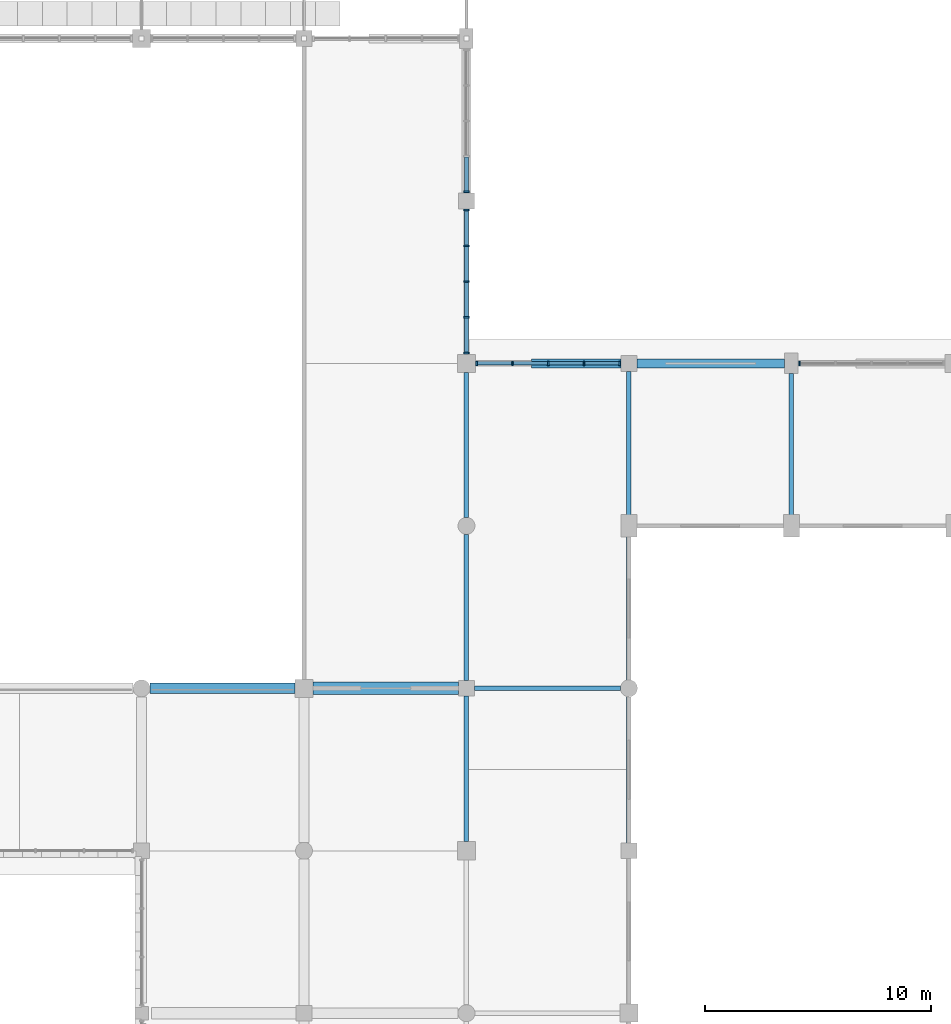
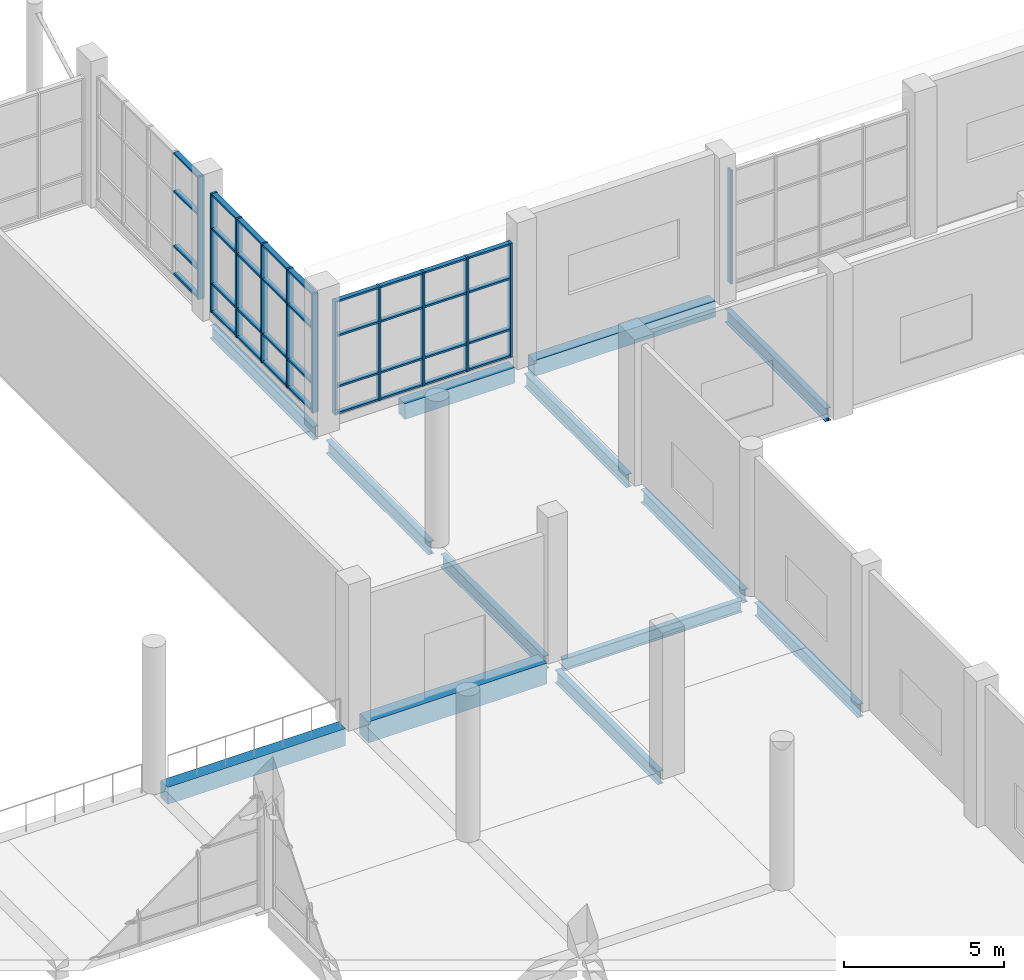
# One storey, part 25 of 80: 48 members, 13 beams, 4 elements without a shape of their own.
"""IFC4 building model written with IfcOpenShell, lengths in metres."""

from ifc_helpers import new_model, si_unit, direction, frame, origin, origin_2d, place, context, subcontext, project, spatial, rectangle, i_section, extrude, material, material_profile, profile_set, type_object, element, aggregate, save


model = new_model("IFC4")

# Units and contexts
model_context = context("Model", 3, precision=1e-05, world=origin(), true_north=direction((0.0, 1.0)))
body_context = subcontext(model_context, "Body", "Model", "MODEL_VIEW")
ifc_project = project(units=[si_unit("LENGTHUNIT", "METRE"), si_unit("AREAUNIT", "SQUARE_METRE"), si_unit("VOLUMEUNIT", "CUBIC_METRE"), si_unit("PLANEANGLEUNIT", "RADIAN"), si_unit("MASSUNIT", "GRAM", prefix="KILO")], contexts=[model_context])

# Site, building, storey
site_placement = place(None, origin())
site = spatial("IfcSite", under=ifc_project, at=site_placement, CompositionType="ELEMENT")
building_placement = place(site_placement, origin())
building = spatial("IfcBuilding", under=site, at=building_placement, Name="Sardonyx Promenade Sports Hall", CompositionType="ELEMENT")
storey_placement = place(building_placement, frame((0.0, 0.0, 5.60009765625)))
storey = spatial("IfcBuildingStorey", under=building, at=storey_placement, Name="L01", CompositionType="ELEMENT", Elevation=5.60009765625)

# Beams
ifc_material_1 = material(Name="Concrete C40/50", Category="concrete")
ifc_material_profile_1 = material_profile(ifc_material_1, rectangle(XDim=0.550048828125, YDim=0.800048828125, at=origin_2d()))
ifc_profile_set_1 = profile_set([ifc_material_profile_1], Name="Concrete C40/50")
beam_type_1 = type_object("IfcBeamType", Name="Bm_Girder_RC800", PredefinedType="BEAM", material=ifc_profile_set_1)
beam_1_placement = place(storey_placement, frame((101.199951171875, 72.0, -0.400146484375), z_axis=(1.0, 0.0, 0.0), x_axis=(0.0, 1.0, 0.0)))
element("IfcBeam", 1, at=beam_1_placement, inside=storey, type_object=beam_type_1, Name="Beam BG04 L01 #277", PredefinedType="BEAM", context=body_context, shape_type="SweptSolid", body=[
    extrude(rectangle(XDim=0.550048828125, YDim=0.800048828125, at=origin_2d()), origin(), (0.0, 0.0, 1.0), 6.449951171875),
])
ifc_material_2 = material(Name="Steel S355JR", Category="steel")
ifc_material_profile_2 = material_profile(ifc_material_2, i_section(OverallWidth=0.18994140625, OverallDepth=0.453369140625, WebThickness=0.008544921875, FlangeThickness=0.0126953125, at=origin_2d()))
ifc_profile_set_2 = profile_set([ifc_material_profile_2], Name="Steel S355JR")
beam_type_2 = type_object("IfcBeamType", Name="Bm_Girder_UB457", PredefinedType="BEAM", material=ifc_profile_set_2)
beam_2_placement = place(storey_placement, frame((108.35009765625, 72.0, -0.44677734375), z_axis=(1.0, 0.0, 0.0), x_axis=(0.0, 1.0, 0.0)))
element("IfcBeam", 2, at=beam_2_placement, inside=storey, type_object=beam_type_2, Name="Beam SB01 L01 #278", PredefinedType="BEAM", context=body_context, shape_type="SweptSolid", body=[
    extrude(i_section(OverallWidth=0.18994140625, OverallDepth=0.453369140625, WebThickness=0.008544921875, FlangeThickness=0.0126953125, at=origin_2d()), origin(), (0.0, 0.0, 1.0), 6.474853515625),
])
ifc_material_3 = material(Name="Steel S355JR", Category="steel")
ifc_material_profile_3 = material_profile(ifc_material_3, i_section(OverallWidth=0.199951171875, OverallDepth=0.5, WebThickness=0.01025390625, FlangeThickness=0.01611328125, at=origin_2d()))
ifc_profile_set_3 = profile_set([ifc_material_profile_3], Name="Steel S355JR")
beam_type_3 = type_object("IfcBeamType", Name="Bm_Primary_IPE500", PredefinedType="BEAM", material=ifc_profile_set_3)
beam_3_placement = place(storey_placement, frame((108.0, 65.199951171875, -0.5400390625), z_axis=(0.0, 1.0, 0.0), x_axis=(-1.0, 0.0, 0.0)))
element("IfcBeam", 3, at=beam_3_placement, inside=storey, type_object=beam_type_3, Name="Beam SB06 L01 #387", PredefinedType="BEAM", context=body_context, shape_type="SweptSolid", body=[
    extrude(i_section(OverallWidth=0.199951171875, OverallDepth=0.5, WebThickness=0.01025390625, FlangeThickness=0.01611328125, at=origin_2d()), origin(), (0.0, 0.0, 1.0), 6.449951171875),
])
beam_4_placement = place(storey_placement, frame((108.0, 72.35009765625, -0.47021484375), z_axis=(0.0, 1.0, 0.0), x_axis=(-1.0, 0.0, 0.0)))
element("IfcBeam", 4, at=beam_4_placement, inside=storey, type_object=beam_type_3, Name="Beam SB06 L01 #388", PredefinedType="BEAM", context=body_context, shape_type="SweptSolid", body=[
    extrude(i_section(OverallWidth=0.199951171875, OverallDepth=0.5, WebThickness=0.01025390625, FlangeThickness=0.01611328125, at=origin_2d()), origin(), (0.0, 0.0, 1.0), 6.474853515625),
])
beam_5_placement = place(storey_placement, frame((108.0, 79.574951171875, -0.47021484375), z_axis=(0.0, 1.0, 0.0), x_axis=(-1.0, 0.0, 0.0)))
element("IfcBeam", 5, at=beam_5_placement, inside=storey, type_object=beam_type_3, Name="Beam SB06 L01 #389", PredefinedType="BEAM", context=body_context, shape_type="SweptSolid", body=[
    extrude(i_section(OverallWidth=0.199951171875, OverallDepth=0.5, WebThickness=0.01025390625, FlangeThickness=0.01611328125, at=origin_2d()), origin(), (0.0, 0.0, 1.0), 6.425048828125),
])
beam_6_placement = place(storey_placement, frame((108.0, 86.800048828125, -0.47021484375), z_axis=(0.0, 1.0, 0.0), x_axis=(-1.0, 0.0, 0.0)))
element("IfcBeam", 6, at=beam_6_placement, inside=storey, type_object=beam_type_3, Name="Beam SB06 L01 #390", PredefinedType="BEAM", context=body_context, shape_type="SweptSolid", body=[
    extrude(i_section(OverallWidth=0.199951171875, OverallDepth=0.5, WebThickness=0.01025390625, FlangeThickness=0.01611328125, at=origin_2d()), origin(), (0.0, 0.0, 1.0), 6.449951171875),
])
beam_7_placement = place(storey_placement, frame((115.199951171875, 65.14990234375, -0.47021484375), z_axis=(0.0, 1.0, 0.0), x_axis=(-1.0, 0.0, 0.0)))
element("IfcBeam", 7, at=beam_7_placement, inside=storey, type_object=beam_type_3, Name="Beam SB06 L01 #401", PredefinedType="BEAM", context=body_context, shape_type="SweptSolid", body=[
    extrude(i_section(OverallWidth=0.199951171875, OverallDepth=0.5, WebThickness=0.01025390625, FlangeThickness=0.01611328125, at=origin_2d()), origin(), (0.0, 0.0, 1.0), 6.47509765625),
])
beam_8_placement = place(storey_placement, frame((115.199951171875, 72.375, -0.47021484375), z_axis=(0.0, 1.0, 0.0), x_axis=(-1.0, 0.0, 0.0)))
element("IfcBeam", 8, at=beam_8_placement, inside=storey, type_object=beam_type_3, Name="Beam SB06 L01 #402", PredefinedType="BEAM", context=body_context, shape_type="SweptSolid", body=[
    extrude(i_section(OverallWidth=0.199951171875, OverallDepth=0.5, WebThickness=0.01025390625, FlangeThickness=0.01611328125, at=origin_2d()), origin(), (0.0, 0.0, 1.0), 6.375),
])
beam_9_placement = place(storey_placement, frame((115.199951171875, 79.64990234375, -0.47021484375), z_axis=(0.0, 1.0, 0.0), x_axis=(-1.0, 0.0, 0.0)))
element("IfcBeam", 9, at=beam_9_placement, inside=storey, type_object=beam_type_3, Name="Beam SB06 L01 #403", PredefinedType="BEAM", context=body_context, shape_type="SweptSolid", body=[
    extrude(i_section(OverallWidth=0.199951171875, OverallDepth=0.5, WebThickness=0.01025390625, FlangeThickness=0.01611328125, at=origin_2d()), origin(), (0.0, 0.0, 1.0), 6.400146484375),
])
beam_10_placement = place(storey_placement, frame((122.39990234375, 79.64990234375, -0.47021484375), z_axis=(0.0, 1.0, 0.0), x_axis=(-1.0, 0.0, 0.0)))
element("IfcBeam", 10, at=beam_10_placement, inside=storey, type_object=beam_type_3, Name="Beam SB06 L01 #404", PredefinedType="BEAM", context=body_context, shape_type="SweptSolid", body=[
    extrude(i_section(OverallWidth=0.199951171875, OverallDepth=0.5, WebThickness=0.01025390625, FlangeThickness=0.01611328125, at=origin_2d()), origin(), (0.0, 0.0, 1.0), 6.300048828125),
])
ifc_material_4 = material(Name="Concrete C40/50", Category="concrete")
ifc_material_profile_4 = material_profile(ifc_material_4, rectangle(XDim=0.449951171875, YDim=0.64990234375, at=origin_2d()))
ifc_profile_set_4 = profile_set([ifc_material_profile_4], Name="Concrete C40/50")
beam_type_4 = type_object("IfcBeamType", Name="Bm_Primary_RC650", PredefinedType="BEAM", material=ifc_profile_set_4)
beam_11_placement = place(storey_placement, frame((93.97509765625, 72.0, -0.3251953125), z_axis=(1.0, 0.0, 0.0), x_axis=(0.0, 1.0, 0.0)))
element("IfcBeam", 11, at=beam_11_placement, inside=storey, type_object=beam_type_4, Name="Beam BG05 L01 #276", PredefinedType="BEAM", context=body_context, shape_type="SweptSolid", body=[
    extrude(rectangle(XDim=0.449951171875, YDim=0.64990234375, at=origin_2d()), origin(), (0.0, 0.0, 1.0), 6.4248046875),
])
ifc_material_5 = material(Name="Concrete C40/50", Category="concrete")
ifc_material_profile_5 = material_profile(ifc_material_5, rectangle(XDim=0.39990234375, YDim=0.60009765625, at=origin_2d()))
ifc_profile_set_5 = profile_set([ifc_material_profile_5], Name="Concrete C40/50")
beam_type_5 = type_object("IfcBeamType", Name="Bm_Spandrel_RC600", PredefinedType="SPANDREL", material=ifc_profile_set_5)
beam_12_placement = place(storey_placement, frame((110.875, 86.39990234375, -0.300048828125), z_axis=(1.0, 0.0, 0.0), x_axis=(0.0, 1.0, 0.0)))
element("IfcBeam", 12, at=beam_12_placement, inside=storey, type_object=beam_type_5, Name="Beam SPB1 L01 #280", PredefinedType="SPANDREL", context=body_context, shape_type="SweptSolid", body=[
    extrude(rectangle(XDim=0.39990234375, YDim=0.60009765625, at=origin_2d()), origin(), (0.0, 0.0, 1.0), 3.97509765625),
])
beam_13_placement = place(storey_placement, frame((115.550048828125, 86.39990234375, -0.300048828125), z_axis=(1.0, 0.0, 0.0), x_axis=(0.0, 1.0, 0.0)))
element("IfcBeam", 13, at=beam_13_placement, inside=storey, type_object=beam_type_5, Name="Beam SPB1 L01 #281", PredefinedType="SPANDREL", context=body_context, shape_type="SweptSolid", body=[
    extrude(rectangle(XDim=0.39990234375, YDim=0.60009765625, at=origin_2d()), origin(), (0.0, 0.0, 1.0), 6.550048828125),
])

# Curtain wall, members
ifc_material_6 = material(Name="Aluminium 6063-T6", Category="aluminium")
curtain_wall_type_1 = type_object("IfcCurtainWallType", Name="CW_Prac_North_L01", PredefinedType="USERDEFINED", material=ifc_material_6)
curtain_wall_1_placement = place(storey_placement, origin())
curtain_wall_1 = element("IfcCurtainWall", 14, at=curtain_wall_1_placement, inside=storey, type_object=curtain_wall_type_1, Name="Curtain wall CW04 cw:L01:103", ObjectType="CURTAIN WALL", PredefinedType="USERDEFINED")
ifc_material_7 = material(Name="Aluminium 6063-T6", Category="aluminium")
ifc_material_profile_6 = material_profile(ifc_material_7, rectangle(XDim=0.070068359375, YDim=0.199951171875, at=origin_2d()))
ifc_profile_set_6 = profile_set([ifc_material_profile_6], Name="Aluminium 6063-T6")
member_type_1 = type_object("IfcMemberType", Name="CW_Mull_200", PredefinedType="MULLION", material=ifc_profile_set_6)
member_1_placement = place(storey_placement, frame((108.455078125, 86.39990234375, 0.349853515625), z_axis=(0.0, 0.0, 1.0), x_axis=(1.0, 0.0, 0.0)))
member_1 = element("IfcMember", 15, at=member_1_placement, type_object=member_type_1, Name="Mullion CM03 cw:L01:103 #1", PredefinedType="MULLION", context=body_context, shape_type="SweptSolid", body=[
    extrude(rectangle(XDim=0.070068359375, YDim=0.199951171875, at=origin_2d()), origin(), (0.0, 0.0, 1.0), 4.35009765625),
])
member_2_placement = place(storey_placement, frame((110.0400390625, 86.39990234375, 0.349853515625), z_axis=(0.0, 0.0, 1.0), x_axis=(1.0, 0.0, 0.0)))
member_2 = element("IfcMember", 16, at=member_2_placement, type_object=member_type_1, Name="Mullion CM03 cw:L01:103 #2", PredefinedType="MULLION", context=body_context, shape_type="SweptSolid", body=[
    extrude(rectangle(XDim=0.070068359375, YDim=0.199951171875, at=origin_2d()), origin(), (0.0, 0.0, 1.0), 4.35009765625),
])
member_3_placement = place(storey_placement, frame((111.625, 86.39990234375, 0.349853515625), z_axis=(0.0, 0.0, 1.0), x_axis=(1.0, 0.0, 0.0)))
member_3 = element("IfcMember", 17, at=member_3_placement, type_object=member_type_1, Name="Mullion CM03 cw:L01:103 #3", PredefinedType="MULLION", context=body_context, shape_type="SweptSolid", body=[
    extrude(rectangle(XDim=0.070068359375, YDim=0.199951171875, at=origin_2d()), origin(), (0.0, 0.0, 1.0), 4.35009765625),
])
member_4_placement = place(storey_placement, frame((113.2099609375, 86.39990234375, 0.349853515625), z_axis=(0.0, 0.0, 1.0), x_axis=(1.0, 0.0, 0.0)))
member_4 = element("IfcMember", 18, at=member_4_placement, type_object=member_type_1, Name="Mullion CM03 cw:L01:103 #4", PredefinedType="MULLION", context=body_context, shape_type="SweptSolid", body=[
    extrude(rectangle(XDim=0.070068359375, YDim=0.199951171875, at=origin_2d()), origin(), (0.0, 0.0, 1.0), 4.35009765625),
])
member_5_placement = place(storey_placement, frame((114.794921875, 86.39990234375, 0.349853515625), z_axis=(0.0, 0.0, 1.0), x_axis=(1.0, 0.0, 0.0)))
member_5 = element("IfcMember", 19, at=member_5_placement, type_object=member_type_1, Name="Mullion CM03 cw:L01:103 #5", PredefinedType="MULLION", context=body_context, shape_type="SweptSolid", body=[
    extrude(rectangle(XDim=0.070068359375, YDim=0.199951171875, at=origin_2d()), origin(), (0.0, 0.0, 1.0), 4.35009765625),
])

# Curtain wall, member
curtain_wall_2_placement = place(storey_placement, origin())
curtain_wall_2 = element("IfcCurtainWall", 20, at=curtain_wall_2_placement, inside=storey, type_object=curtain_wall_type_1, Name="Curtain wall CW04 cw:L01:104", ObjectType="CURTAIN WALL", PredefinedType="USERDEFINED")
member_6_placement = place(storey_placement, frame((122.7548828125, 86.39990234375, 0.349853515625), z_axis=(0.0, 0.0, 1.0), x_axis=(1.0, 0.0, 0.0)))
member_6 = element("IfcMember", 21, at=member_6_placement, type_object=member_type_1, Name="Mullion CM03 cw:L01:104 #1", PredefinedType="MULLION", context=body_context, shape_type="SweptSolid", body=[
    extrude(rectangle(XDim=0.070068359375, YDim=0.199951171875, at=origin_2d()), origin(), (0.0, 0.0, 1.0), 4.35009765625),
])
aggregate(curtain_wall_2, [member_6])

ifc_material_8 = material(Name="Aluminium 6063-T6", Category="aluminium")
curtain_wall_type_2 = type_object("IfcCurtainWallType", Name="CW_Foyer_L01_Tall", PredefinedType="USERDEFINED", material=ifc_material_8)
curtain_wall_3_placement = place(storey_placement, origin())
curtain_wall_3 = element("IfcCurtainWall", 22, at=curtain_wall_3_placement, inside=storey, type_object=curtain_wall_type_2, Name="Curtain wall CW02 cw:L01:095", ObjectType="CURTAIN WALL", PredefinedType="USERDEFINED")
ifc_material_9 = material(Name="Aluminium 6063-T6", Category="aluminium")
ifc_material_profile_7 = material_profile(ifc_material_9, rectangle(XDim=0.074951171875, YDim=0.22509765625, at=origin_2d()))
ifc_profile_set_7 = profile_set([ifc_material_profile_7], Name="Aluminium 6063-T6")
member_type_2 = type_object("IfcMemberType", Name="CW_Mull_225", PredefinedType="MULLION", material=ifc_profile_set_7)
member_7_placement = place(storey_placement, frame((108.0, 94.007568359375, 0.2998046875), z_axis=(0.0, 0.0, 1.0), x_axis=(0.0, -1.0, 0.0)))
member_7 = element("IfcMember", 23, at=member_7_placement, type_object=member_type_2, Name="Mullion CM04 cw:L01:095 #5", PredefinedType="MULLION", context=body_context, shape_type="SweptSolid", body=[
    extrude(rectangle(XDim=0.074951171875, YDim=0.22509765625, at=origin_2d()), origin(), (0.0, 0.0, 1.0), 4.68505859375),
])

# Curtain wall, members
curtain_wall_4_placement = place(storey_placement, origin())
curtain_wall_4 = element("IfcCurtainWall", 24, at=curtain_wall_4_placement, inside=storey, type_object=curtain_wall_type_2, Name="Curtain wall CW02 cw:L01:096", ObjectType="CURTAIN WALL", PredefinedType="USERDEFINED")
member_8_placement = place(storey_placement, frame((108.0, 93.1923828125, 0.2998046875), z_axis=(0.0, 0.0, 1.0), x_axis=(0.0, -1.0, 0.0)))
member_8 = element("IfcMember", 25, at=member_8_placement, type_object=member_type_2, Name="Mullion CM04 cw:L01:096 #1", PredefinedType="MULLION", context=body_context, shape_type="SweptSolid", body=[
    extrude(rectangle(XDim=0.074951171875, YDim=0.22509765625, at=origin_2d()), origin(), (0.0, 0.0, 1.0), 4.545166015625),
])
member_9_placement = place(storey_placement, frame((108.0, 91.608642578125, 0.2998046875), z_axis=(0.0, 0.0, 1.0), x_axis=(0.0, -1.0, 0.0)))
member_9 = element("IfcMember", 26, at=member_9_placement, type_object=member_type_2, Name="Mullion CM04 cw:L01:096 #2", PredefinedType="MULLION", context=body_context, shape_type="SweptSolid", body=[
    extrude(rectangle(XDim=0.074951171875, YDim=0.22509765625, at=origin_2d()), origin(), (0.0, 0.0, 1.0), 4.545166015625),
])
member_10_placement = place(storey_placement, frame((108.0, 90.02490234375, 0.2998046875), z_axis=(0.0, 0.0, 1.0), x_axis=(0.0, -1.0, 0.0)))
member_10 = element("IfcMember", 27, at=member_10_placement, type_object=member_type_2, Name="Mullion CM04 cw:L01:096 #3", PredefinedType="MULLION", context=body_context, shape_type="SweptSolid", body=[
    extrude(rectangle(XDim=0.074951171875, YDim=0.22509765625, at=origin_2d()), origin(), (0.0, 0.0, 1.0), 4.545166015625),
])
member_11_placement = place(storey_placement, frame((108.0, 88.441162109375, 0.2998046875), z_axis=(0.0, 0.0, 1.0), x_axis=(0.0, -1.0, 0.0)))
member_11 = element("IfcMember", 28, at=member_11_placement, type_object=member_type_2, Name="Mullion CM04 cw:L01:096 #4", PredefinedType="MULLION", context=body_context, shape_type="SweptSolid", body=[
    extrude(rectangle(XDim=0.074951171875, YDim=0.22509765625, at=origin_2d()), origin(), (0.0, 0.0, 1.0), 4.545166015625),
])
member_12_placement = place(storey_placement, frame((108.0, 86.857421875, 0.2998046875), z_axis=(0.0, 0.0, 1.0), x_axis=(0.0, -1.0, 0.0)))
member_12 = element("IfcMember", 29, at=member_12_placement, type_object=member_type_2, Name="Mullion CM04 cw:L01:096 #5", PredefinedType="MULLION", context=body_context, shape_type="SweptSolid", body=[
    extrude(rectangle(XDim=0.074951171875, YDim=0.22509765625, at=origin_2d()), origin(), (0.0, 0.0, 1.0), 4.545166015625),
])

# Member
ifc_material_10 = material(Name="Aluminium 6063-T6", Category="aluminium")
ifc_material_profile_8 = material_profile(ifc_material_10, rectangle(XDim=0.070068359375, YDim=0.159912109375, at=origin_2d()))
ifc_profile_set_8 = profile_set([ifc_material_profile_8], Name="Aluminium 6063-T6")
member_type_3 = type_object("IfcMemberType", Name="CW_Tran_160", PredefinedType="USERDEFINED", material=ifc_profile_set_8)
member_13_placement = place(storey_placement, frame((108.489990234375, 86.39990234375, 0.385009765625), z_axis=(1.0, 0.0, 0.0), x_axis=(0.0, 0.0, 1.0)))
member_13 = element("IfcMember", 30, at=member_13_placement, type_object=member_type_3, Name="Transom CT03 cw:L01:103 #1", ObjectType="TRANSOM", PredefinedType="USERDEFINED", context=body_context, shape_type="SweptSolid", body=[
    extrude(rectangle(XDim=0.070068359375, YDim=0.159912109375, at=origin_2d()), origin(), (0.0, 0.0, 1.0), 1.514892578125),
])

member_14_placement = place(storey_placement, frame((108.489990234375, 86.39990234375, 1.39990234375), z_axis=(1.0, 0.0, 0.0), x_axis=(0.0, 0.0, 1.0)))
member_14 = element("IfcMember", 31, at=member_14_placement, type_object=member_type_3, Name="Transom CT03 cw:L01:103 #2", ObjectType="TRANSOM", PredefinedType="USERDEFINED", context=body_context, shape_type="SweptSolid", body=[
    extrude(rectangle(XDim=0.070068359375, YDim=0.159912109375, at=origin_2d()), origin(), (0.0, 0.0, 1.0), 1.514892578125),
])

member_15_placement = place(storey_placement, frame((108.489990234375, 86.39990234375, 3.349853515625), z_axis=(1.0, 0.0, 0.0), x_axis=(0.0, 0.0, 1.0)))
member_15 = element("IfcMember", 32, at=member_15_placement, type_object=member_type_3, Name="Transom CT03 cw:L01:103 #3", ObjectType="TRANSOM", PredefinedType="USERDEFINED", context=body_context, shape_type="SweptSolid", body=[
    extrude(rectangle(XDim=0.070068359375, YDim=0.159912109375, at=origin_2d()), origin(), (0.0, 0.0, 1.0), 1.514892578125),
])

member_16_placement = place(storey_placement, frame((108.489990234375, 86.39990234375, 4.664794921875), z_axis=(1.0, 0.0, 0.0), x_axis=(0.0, 0.0, 1.0)))
member_16 = element("IfcMember", 33, at=member_16_placement, type_object=member_type_3, Name="Transom CT03 cw:L01:103 #4", ObjectType="TRANSOM", PredefinedType="USERDEFINED", context=body_context, shape_type="SweptSolid", body=[
    extrude(rectangle(XDim=0.070068359375, YDim=0.159912109375, at=origin_2d()), origin(), (0.0, 0.0, 1.0), 1.514892578125),
])

member_17_placement = place(storey_placement, frame((110.074951171875, 86.39990234375, 0.385009765625), z_axis=(1.0, 0.0, 0.0), x_axis=(0.0, 0.0, 1.0)))
member_17 = element("IfcMember", 34, at=member_17_placement, type_object=member_type_3, Name="Transom CT03 cw:L01:103 #5", ObjectType="TRANSOM", PredefinedType="USERDEFINED", context=body_context, shape_type="SweptSolid", body=[
    extrude(rectangle(XDim=0.070068359375, YDim=0.159912109375, at=origin_2d()), origin(), (0.0, 0.0, 1.0), 1.51513671875),
])

member_18_placement = place(storey_placement, frame((110.074951171875, 86.39990234375, 1.39990234375), z_axis=(1.0, 0.0, 0.0), x_axis=(0.0, 0.0, 1.0)))
member_18 = element("IfcMember", 35, at=member_18_placement, type_object=member_type_3, Name="Transom CT03 cw:L01:103 #6", ObjectType="TRANSOM", PredefinedType="USERDEFINED", context=body_context, shape_type="SweptSolid", body=[
    extrude(rectangle(XDim=0.070068359375, YDim=0.159912109375, at=origin_2d()), origin(), (0.0, 0.0, 1.0), 1.51513671875),
])

member_19_placement = place(storey_placement, frame((110.074951171875, 86.39990234375, 3.349853515625), z_axis=(1.0, 0.0, 0.0), x_axis=(0.0, 0.0, 1.0)))
member_19 = element("IfcMember", 36, at=member_19_placement, type_object=member_type_3, Name="Transom CT03 cw:L01:103 #7", ObjectType="TRANSOM", PredefinedType="USERDEFINED", context=body_context, shape_type="SweptSolid", body=[
    extrude(rectangle(XDim=0.070068359375, YDim=0.159912109375, at=origin_2d()), origin(), (0.0, 0.0, 1.0), 1.51513671875),
])

member_20_placement = place(storey_placement, frame((110.074951171875, 86.39990234375, 4.664794921875), z_axis=(1.0, 0.0, 0.0), x_axis=(0.0, 0.0, 1.0)))
member_20 = element("IfcMember", 37, at=member_20_placement, type_object=member_type_3, Name="Transom CT03 cw:L01:103 #8", ObjectType="TRANSOM", PredefinedType="USERDEFINED", context=body_context, shape_type="SweptSolid", body=[
    extrude(rectangle(XDim=0.070068359375, YDim=0.159912109375, at=origin_2d()), origin(), (0.0, 0.0, 1.0), 1.51513671875),
])

member_21_placement = place(storey_placement, frame((111.659912109375, 86.39990234375, 0.385009765625), z_axis=(1.0, 0.0, 0.0), x_axis=(0.0, 0.0, 1.0)))
member_21 = element("IfcMember", 38, at=member_21_placement, type_object=member_type_3, Name="Transom CT03 cw:L01:103 #9", ObjectType="TRANSOM", PredefinedType="USERDEFINED", context=body_context, shape_type="SweptSolid", body=[
    extrude(rectangle(XDim=0.070068359375, YDim=0.159912109375, at=origin_2d()), origin(), (0.0, 0.0, 1.0), 1.51513671875),
])

member_22_placement = place(storey_placement, frame((111.659912109375, 86.39990234375, 1.39990234375), z_axis=(1.0, 0.0, 0.0), x_axis=(0.0, 0.0, 1.0)))
member_22 = element("IfcMember", 39, at=member_22_placement, type_object=member_type_3, Name="Transom CT03 cw:L01:103 #10", ObjectType="TRANSOM", PredefinedType="USERDEFINED", context=body_context, shape_type="SweptSolid", body=[
    extrude(rectangle(XDim=0.070068359375, YDim=0.159912109375, at=origin_2d()), origin(), (0.0, 0.0, 1.0), 1.51513671875),
])

member_23_placement = place(storey_placement, frame((111.659912109375, 86.39990234375, 3.349853515625), z_axis=(1.0, 0.0, 0.0), x_axis=(0.0, 0.0, 1.0)))
member_23 = element("IfcMember", 40, at=member_23_placement, type_object=member_type_3, Name="Transom CT03 cw:L01:103 #11", ObjectType="TRANSOM", PredefinedType="USERDEFINED", context=body_context, shape_type="SweptSolid", body=[
    extrude(rectangle(XDim=0.070068359375, YDim=0.159912109375, at=origin_2d()), origin(), (0.0, 0.0, 1.0), 1.51513671875),
])

member_24_placement = place(storey_placement, frame((111.659912109375, 86.39990234375, 4.664794921875), z_axis=(1.0, 0.0, 0.0), x_axis=(0.0, 0.0, 1.0)))
member_24 = element("IfcMember", 41, at=member_24_placement, type_object=member_type_3, Name="Transom CT03 cw:L01:103 #12", ObjectType="TRANSOM", PredefinedType="USERDEFINED", context=body_context, shape_type="SweptSolid", body=[
    extrude(rectangle(XDim=0.070068359375, YDim=0.159912109375, at=origin_2d()), origin(), (0.0, 0.0, 1.0), 1.51513671875),
])

member_25_placement = place(storey_placement, frame((113.2451171875, 86.39990234375, 0.385009765625), z_axis=(1.0, 0.0, 0.0), x_axis=(0.0, 0.0, 1.0)))
member_25 = element("IfcMember", 42, at=member_25_placement, type_object=member_type_3, Name="Transom CT03 cw:L01:103 #13", ObjectType="TRANSOM", PredefinedType="USERDEFINED", context=body_context, shape_type="SweptSolid", body=[
    extrude(rectangle(XDim=0.070068359375, YDim=0.159912109375, at=origin_2d()), origin(), (0.0, 0.0, 1.0), 1.514892578125),
])

member_26_placement = place(storey_placement, frame((113.2451171875, 86.39990234375, 1.39990234375), z_axis=(1.0, 0.0, 0.0), x_axis=(0.0, 0.0, 1.0)))
member_26 = element("IfcMember", 43, at=member_26_placement, type_object=member_type_3, Name="Transom CT03 cw:L01:103 #14", ObjectType="TRANSOM", PredefinedType="USERDEFINED", context=body_context, shape_type="SweptSolid", body=[
    extrude(rectangle(XDim=0.070068359375, YDim=0.159912109375, at=origin_2d()), origin(), (0.0, 0.0, 1.0), 1.514892578125),
])

member_27_placement = place(storey_placement, frame((113.2451171875, 86.39990234375, 3.349853515625), z_axis=(1.0, 0.0, 0.0), x_axis=(0.0, 0.0, 1.0)))
member_27 = element("IfcMember", 44, at=member_27_placement, type_object=member_type_3, Name="Transom CT03 cw:L01:103 #15", ObjectType="TRANSOM", PredefinedType="USERDEFINED", context=body_context, shape_type="SweptSolid", body=[
    extrude(rectangle(XDim=0.070068359375, YDim=0.159912109375, at=origin_2d()), origin(), (0.0, 0.0, 1.0), 1.514892578125),
])

member_28_placement = place(storey_placement, frame((113.2451171875, 86.39990234375, 4.664794921875), z_axis=(1.0, 0.0, 0.0), x_axis=(0.0, 0.0, 1.0)))
member_28 = element("IfcMember", 45, at=member_28_placement, type_object=member_type_3, Name="Transom CT03 cw:L01:103 #16", ObjectType="TRANSOM", PredefinedType="USERDEFINED", context=body_context, shape_type="SweptSolid", body=[
    extrude(rectangle(XDim=0.070068359375, YDim=0.159912109375, at=origin_2d()), origin(), (0.0, 0.0, 1.0), 1.514892578125),
])

aggregate(curtain_wall_1, [member_1, member_2, member_3, member_4, member_5, member_13, member_14, member_15, member_16, member_17, member_18, member_19, member_20, member_21, member_22, member_23, member_24, member_25, member_26, member_27, member_28])

ifc_material_11 = material(Name="Aluminium 6063-T6", Category="aluminium")
ifc_material_profile_9 = material_profile(ifc_material_11, rectangle(XDim=0.074951171875, YDim=0.179931640625, at=origin_2d()))
ifc_profile_set_9 = profile_set([ifc_material_profile_9], Name="Aluminium 6063-T6")
member_type_4 = type_object("IfcMemberType", Name="CW_Tran_180", PredefinedType="USERDEFINED", material=ifc_profile_set_9)
member_29_placement = place(storey_placement, frame((108.0, 95.541259765625, 0.33740234375), z_axis=(0.0, -1.0, 0.0), x_axis=(0.0, 0.0, 1.0)))
member_29 = element("IfcMember", 46, at=member_29_placement, type_object=member_type_4, Name="Transom CT04 cw:L01:095 #13", ObjectType="TRANSOM", PredefinedType="USERDEFINED", context=body_context, shape_type="SweptSolid", body=[
    extrude(rectangle(XDim=0.074951171875, YDim=0.179931640625, at=origin_2d()), origin(), (0.0, 0.0, 1.0), 1.496337890625),
])

member_30_placement = place(storey_placement, frame((108.0, 95.541259765625, 1.39990234375), z_axis=(0.0, -1.0, 0.0), x_axis=(0.0, 0.0, 1.0)))
member_30 = element("IfcMember", 47, at=member_30_placement, type_object=member_type_4, Name="Transom CT04 cw:L01:095 #14", ObjectType="TRANSOM", PredefinedType="USERDEFINED", context=body_context, shape_type="SweptSolid", body=[
    extrude(rectangle(XDim=0.074951171875, YDim=0.179931640625, at=origin_2d()), origin(), (0.0, 0.0, 1.0), 1.496337890625),
])

member_31_placement = place(storey_placement, frame((108.0, 95.541259765625, 3.5), z_axis=(0.0, -1.0, 0.0), x_axis=(0.0, 0.0, 1.0)))
member_31 = element("IfcMember", 48, at=member_31_placement, type_object=member_type_4, Name="Transom CT04 cw:L01:095 #15", ObjectType="TRANSOM", PredefinedType="USERDEFINED", context=body_context, shape_type="SweptSolid", body=[
    extrude(rectangle(XDim=0.074951171875, YDim=0.179931640625, at=origin_2d()), origin(), (0.0, 0.0, 1.0), 1.496337890625),
])

member_32_placement = place(storey_placement, frame((108.0, 95.541259765625, 4.947509765625), z_axis=(0.0, -1.0, 0.0), x_axis=(0.0, 0.0, 1.0)))
member_32 = element("IfcMember", 49, at=member_32_placement, type_object=member_type_4, Name="Transom CT04 cw:L01:095 #16", ObjectType="TRANSOM", PredefinedType="USERDEFINED", context=body_context, shape_type="SweptSolid", body=[
    extrude(rectangle(XDim=0.074951171875, YDim=0.179931640625, at=origin_2d()), origin(), (0.0, 0.0, 1.0), 1.496337890625),
])

aggregate(curtain_wall_3, [member_7, member_29, member_30, member_31, member_32])

member_33_placement = place(storey_placement, frame((108.0, 93.155029296875, 0.33740234375), z_axis=(0.0, -1.0, 0.0), x_axis=(0.0, 0.0, 1.0)))
member_33 = element("IfcMember", 50, at=member_33_placement, type_object=member_type_4, Name="Transom CT04 cw:L01:096 #1", ObjectType="TRANSOM", PredefinedType="USERDEFINED", context=body_context, shape_type="SweptSolid", body=[
    extrude(rectangle(XDim=0.074951171875, YDim=0.179931640625, at=origin_2d()), origin(), (0.0, 0.0, 1.0), 1.5087890625),
])

member_34_placement = place(storey_placement, frame((108.0, 93.155029296875, 1.39990234375), z_axis=(0.0, -1.0, 0.0), x_axis=(0.0, 0.0, 1.0)))
member_34 = element("IfcMember", 51, at=member_34_placement, type_object=member_type_4, Name="Transom CT04 cw:L01:096 #2", ObjectType="TRANSOM", PredefinedType="USERDEFINED", context=body_context, shape_type="SweptSolid", body=[
    extrude(rectangle(XDim=0.074951171875, YDim=0.179931640625, at=origin_2d()), origin(), (0.0, 0.0, 1.0), 1.5087890625),
])

member_35_placement = place(storey_placement, frame((108.0, 93.155029296875, 3.5), z_axis=(0.0, -1.0, 0.0), x_axis=(0.0, 0.0, 1.0)))
member_35 = element("IfcMember", 52, at=member_35_placement, type_object=member_type_4, Name="Transom CT04 cw:L01:096 #3", ObjectType="TRANSOM", PredefinedType="USERDEFINED", context=body_context, shape_type="SweptSolid", body=[
    extrude(rectangle(XDim=0.074951171875, YDim=0.179931640625, at=origin_2d()), origin(), (0.0, 0.0, 1.0), 1.5087890625),
])

member_36_placement = place(storey_placement, frame((108.0, 93.155029296875, 4.807373046875), z_axis=(0.0, -1.0, 0.0), x_axis=(0.0, 0.0, 1.0)))
member_36 = element("IfcMember", 53, at=member_36_placement, type_object=member_type_4, Name="Transom CT04 cw:L01:096 #4", ObjectType="TRANSOM", PredefinedType="USERDEFINED", context=body_context, shape_type="SweptSolid", body=[
    extrude(rectangle(XDim=0.074951171875, YDim=0.179931640625, at=origin_2d()), origin(), (0.0, 0.0, 1.0), 1.5087890625),
])

member_37_placement = place(storey_placement, frame((108.0, 91.5712890625, 0.33740234375), z_axis=(0.0, -1.0, 0.0), x_axis=(0.0, 0.0, 1.0)))
member_37 = element("IfcMember", 54, at=member_37_placement, type_object=member_type_4, Name="Transom CT04 cw:L01:096 #5", ObjectType="TRANSOM", PredefinedType="USERDEFINED", context=body_context, shape_type="SweptSolid", body=[
    extrude(rectangle(XDim=0.074951171875, YDim=0.179931640625, at=origin_2d()), origin(), (0.0, 0.0, 1.0), 1.5087890625),
])

member_38_placement = place(storey_placement, frame((108.0, 91.5712890625, 1.39990234375), z_axis=(0.0, -1.0, 0.0), x_axis=(0.0, 0.0, 1.0)))
member_38 = element("IfcMember", 55, at=member_38_placement, type_object=member_type_4, Name="Transom CT04 cw:L01:096 #6", ObjectType="TRANSOM", PredefinedType="USERDEFINED", context=body_context, shape_type="SweptSolid", body=[
    extrude(rectangle(XDim=0.074951171875, YDim=0.179931640625, at=origin_2d()), origin(), (0.0, 0.0, 1.0), 1.5087890625),
])

member_39_placement = place(storey_placement, frame((108.0, 91.5712890625, 3.5), z_axis=(0.0, -1.0, 0.0), x_axis=(0.0, 0.0, 1.0)))
member_39 = element("IfcMember", 56, at=member_39_placement, type_object=member_type_4, Name="Transom CT04 cw:L01:096 #7", ObjectType="TRANSOM", PredefinedType="USERDEFINED", context=body_context, shape_type="SweptSolid", body=[
    extrude(rectangle(XDim=0.074951171875, YDim=0.179931640625, at=origin_2d()), origin(), (0.0, 0.0, 1.0), 1.5087890625),
])

member_40_placement = place(storey_placement, frame((108.0, 91.5712890625, 4.807373046875), z_axis=(0.0, -1.0, 0.0), x_axis=(0.0, 0.0, 1.0)))
member_40 = element("IfcMember", 57, at=member_40_placement, type_object=member_type_4, Name="Transom CT04 cw:L01:096 #8", ObjectType="TRANSOM", PredefinedType="USERDEFINED", context=body_context, shape_type="SweptSolid", body=[
    extrude(rectangle(XDim=0.074951171875, YDim=0.179931640625, at=origin_2d()), origin(), (0.0, 0.0, 1.0), 1.5087890625),
])

member_41_placement = place(storey_placement, frame((108.0, 89.987548828125, 0.33740234375), z_axis=(0.0, -1.0, 0.0), x_axis=(0.0, 0.0, 1.0)))
member_41 = element("IfcMember", 58, at=member_41_placement, type_object=member_type_4, Name="Transom CT04 cw:L01:096 #9", ObjectType="TRANSOM", PredefinedType="USERDEFINED", context=body_context, shape_type="SweptSolid", body=[
    extrude(rectangle(XDim=0.074951171875, YDim=0.179931640625, at=origin_2d()), origin(), (0.0, 0.0, 1.0), 1.5087890625),
])

member_42_placement = place(storey_placement, frame((108.0, 89.987548828125, 1.39990234375), z_axis=(0.0, -1.0, 0.0), x_axis=(0.0, 0.0, 1.0)))
member_42 = element("IfcMember", 59, at=member_42_placement, type_object=member_type_4, Name="Transom CT04 cw:L01:096 #10", ObjectType="TRANSOM", PredefinedType="USERDEFINED", context=body_context, shape_type="SweptSolid", body=[
    extrude(rectangle(XDim=0.074951171875, YDim=0.179931640625, at=origin_2d()), origin(), (0.0, 0.0, 1.0), 1.5087890625),
])

member_43_placement = place(storey_placement, frame((108.0, 89.987548828125, 3.5), z_axis=(0.0, -1.0, 0.0), x_axis=(0.0, 0.0, 1.0)))
member_43 = element("IfcMember", 60, at=member_43_placement, type_object=member_type_4, Name="Transom CT04 cw:L01:096 #11", ObjectType="TRANSOM", PredefinedType="USERDEFINED", context=body_context, shape_type="SweptSolid", body=[
    extrude(rectangle(XDim=0.074951171875, YDim=0.179931640625, at=origin_2d()), origin(), (0.0, 0.0, 1.0), 1.5087890625),
])

member_44_placement = place(storey_placement, frame((108.0, 89.987548828125, 4.807373046875), z_axis=(0.0, -1.0, 0.0), x_axis=(0.0, 0.0, 1.0)))
member_44 = element("IfcMember", 61, at=member_44_placement, type_object=member_type_4, Name="Transom CT04 cw:L01:096 #12", ObjectType="TRANSOM", PredefinedType="USERDEFINED", context=body_context, shape_type="SweptSolid", body=[
    extrude(rectangle(XDim=0.074951171875, YDim=0.179931640625, at=origin_2d()), origin(), (0.0, 0.0, 1.0), 1.5087890625),
])

member_45_placement = place(storey_placement, frame((108.0, 88.40380859375, 0.33740234375), z_axis=(0.0, -1.0, 0.0), x_axis=(0.0, 0.0, 1.0)))
member_45 = element("IfcMember", 62, at=member_45_placement, type_object=member_type_4, Name="Transom CT04 cw:L01:096 #13", ObjectType="TRANSOM", PredefinedType="USERDEFINED", context=body_context, shape_type="SweptSolid", body=[
    extrude(rectangle(XDim=0.074951171875, YDim=0.179931640625, at=origin_2d()), origin(), (0.0, 0.0, 1.0), 1.5087890625),
])

member_46_placement = place(storey_placement, frame((108.0, 88.40380859375, 1.39990234375), z_axis=(0.0, -1.0, 0.0), x_axis=(0.0, 0.0, 1.0)))
member_46 = element("IfcMember", 63, at=member_46_placement, type_object=member_type_4, Name="Transom CT04 cw:L01:096 #14", ObjectType="TRANSOM", PredefinedType="USERDEFINED", context=body_context, shape_type="SweptSolid", body=[
    extrude(rectangle(XDim=0.074951171875, YDim=0.179931640625, at=origin_2d()), origin(), (0.0, 0.0, 1.0), 1.5087890625),
])

member_47_placement = place(storey_placement, frame((108.0, 88.40380859375, 3.5), z_axis=(0.0, -1.0, 0.0), x_axis=(0.0, 0.0, 1.0)))
member_47 = element("IfcMember", 64, at=member_47_placement, type_object=member_type_4, Name="Transom CT04 cw:L01:096 #15", ObjectType="TRANSOM", PredefinedType="USERDEFINED", context=body_context, shape_type="SweptSolid", body=[
    extrude(rectangle(XDim=0.074951171875, YDim=0.179931640625, at=origin_2d()), origin(), (0.0, 0.0, 1.0), 1.5087890625),
])

member_48_placement = place(storey_placement, frame((108.0, 88.40380859375, 4.807373046875), z_axis=(0.0, -1.0, 0.0), x_axis=(0.0, 0.0, 1.0)))
member_48 = element("IfcMember", 65, at=member_48_placement, type_object=member_type_4, Name="Transom CT04 cw:L01:096 #16", ObjectType="TRANSOM", PredefinedType="USERDEFINED", context=body_context, shape_type="SweptSolid", body=[
    extrude(rectangle(XDim=0.074951171875, YDim=0.179931640625, at=origin_2d()), origin(), (0.0, 0.0, 1.0), 1.5087890625),
])

aggregate(curtain_wall_4, [member_8, member_9, member_10, member_11, member_12, member_33, member_34, member_35, member_36, member_37, member_38, member_39, member_40, member_41, member_42, member_43, member_44, member_45, member_46, member_47, member_48])

save(model, "model.ifc")
